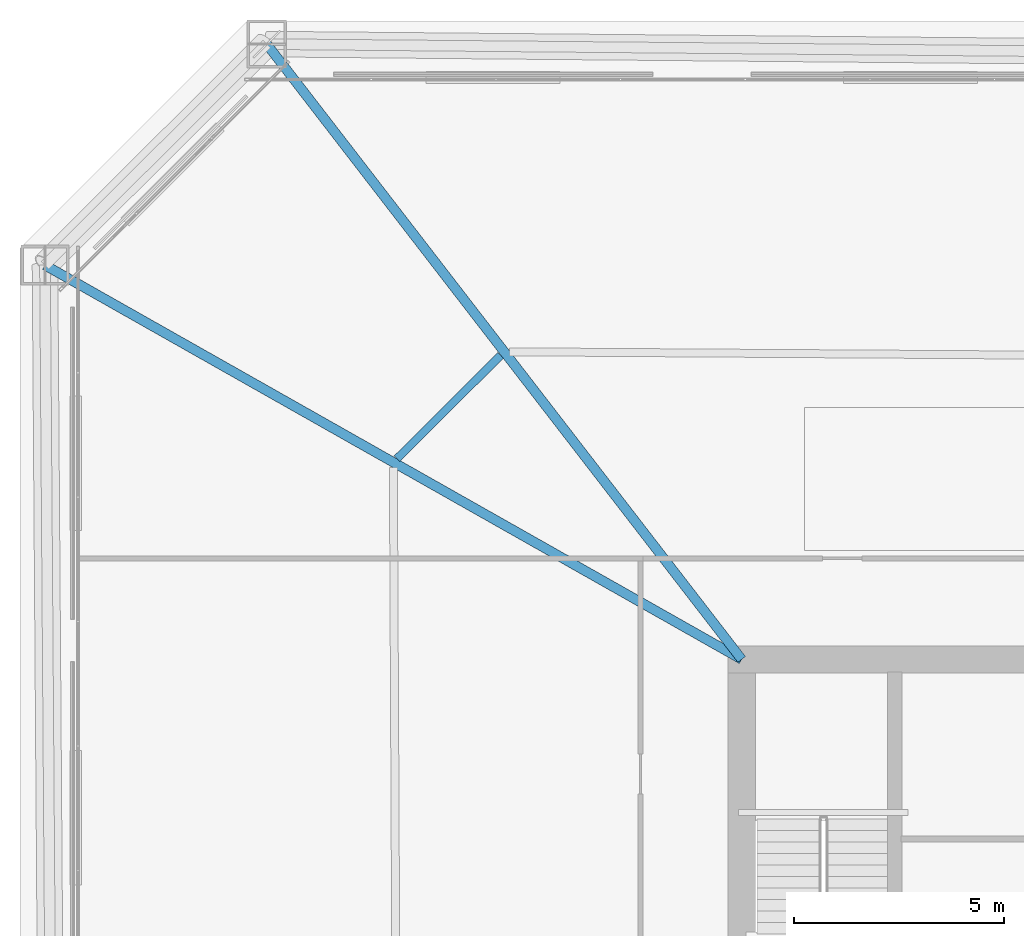
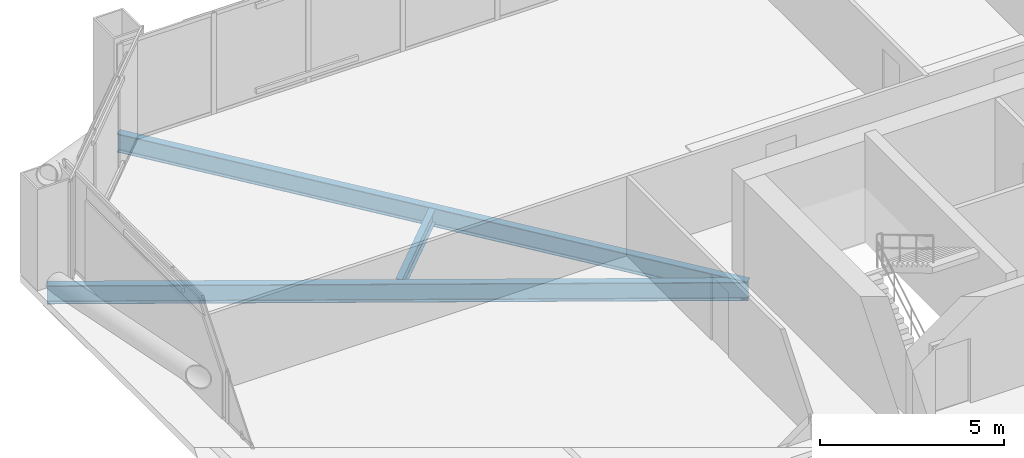
# One storey, part 31 of 50: 3 beams.
"""IFC4 building model written with IfcOpenShell, lengths in metres."""

from ifc_helpers import new_model, si_unit, direction, frame, origin, origin_2d, place, context, subcontext, project, spatial, i_section, extrude, material, material_profile, profile_set, type_object, element, save


model = new_model("IFC4")

# Units and contexts
model_context = context("Model", 3, precision=1e-05, world=origin(), true_north=direction((0.0, 1.0)))
body_context = subcontext(model_context, "Body", "Model", "MODEL_VIEW")
ifc_project = project(units=[si_unit("LENGTHUNIT", "METRE"), si_unit("AREAUNIT", "SQUARE_METRE"), si_unit("VOLUMEUNIT", "CUBIC_METRE"), si_unit("PLANEANGLEUNIT", "RADIAN"), si_unit("MASSUNIT", "GRAM", prefix="KILO")], contexts=[model_context])

# Site, building, storey
site_placement = place(None, origin())
site = spatial("IfcSite", under=ifc_project, at=site_placement, CompositionType="ELEMENT")
building_placement = place(site_placement, origin())
building = spatial("IfcBuilding", under=site, at=building_placement, Name="Caelvoria Tower", CompositionType="ELEMENT")
storey_placement = place(building_placement, frame((0.0, 0.0, 71.199951171875)))
storey = spatial("IfcBuildingStorey", under=building, at=storey_placement, Name="L18", CompositionType="ELEMENT", Elevation=71.199951171875)

# Beams
ifc_material = material(Name="Structural Steel ASTM A992 Gr.50", Category="steel")
ifc_material_profile_1 = material_profile(ifc_material, i_section(OverallWidth=0.22900390625, OverallDepth=0.612060546875, WebThickness=0.011962890625, FlangeThickness=0.01953125, FilletRadius=0.01806640625, at=origin_2d()), Name="Structural Steel ASTM A992 Gr.50")
ifc_profile_set_1 = profile_set([ifc_material_profile_1], Name="W610X125 - Structural Steel ASTM A992 Gr.50")
beam_type_1 = type_object("IfcBeamType", Name="Primary Radial Floor Girder W610X125", PredefinedType="BEAM", material=ifc_profile_set_1)
beam_1_placement = place(storey_placement, frame((37.0, 40.0, -0.5458984375), z_axis=(-0.611048700367, 0.791593005136, 0.0), x_axis=(-0.791593005136, -0.611048700367, 0.0)))
element("IfcBeam", 1, at=beam_1_placement, inside=storey, type_object=beam_type_1, Name="Primary Floor Girder L18-08", PredefinedType="BEAM", context=body_context, shape_type="SweptSolid", body=[
    extrude(i_section(OverallWidth=0.22900390625, OverallDepth=0.612060546875, WebThickness=0.011962890625, FlangeThickness=0.01953125, FilletRadius=0.01806640625, at=origin_2d()), origin(), (0.0, 0.0, 1.0), 18.5244140625),
])
beam_2_placement = place(storey_placement, frame((37.0, 40.0, -0.5458984375), z_axis=(-0.870330127245, 0.492468749881, 0.0), x_axis=(-0.492468749881, -0.870330127245, 0.0)))
element("IfcBeam", 2, at=beam_2_placement, inside=storey, type_object=beam_type_1, Name="Primary Floor Girder L18-09", PredefinedType="BEAM", context=body_context, shape_type="SweptSolid", body=[
    extrude(i_section(OverallWidth=0.22900390625, OverallDepth=0.612060546875, WebThickness=0.011962890625, FlangeThickness=0.01953125, FilletRadius=0.01806640625, at=origin_2d()), origin(), (0.0, 0.0, 1.0), 19.078369140625),
])
ifc_material_profile_2 = material_profile(ifc_material, i_section(OverallWidth=0.18994140625, OverallDepth=0.45703125, WebThickness=0.009033203125, FlangeThickness=0.014404296875, FilletRadius=0.014892578125, at=origin_2d()), Name="Structural Steel ASTM A992 Gr.50")
ifc_profile_set_2 = profile_set([ifc_material_profile_2], Name="W460X74 - Structural Steel ASTM A992 Gr.50")
beam_type_2 = type_object("IfcBeamType", Name="Secondary Floor Beam W460X74", PredefinedType="BEAM", material=ifc_profile_set_2)
beam_3_placement = place(storey_placement, frame((31.251708984375, 47.24365234375, -0.468505859375), z_axis=(-0.708192991705, -0.706018899534, 0.0), x_axis=(0.706018899534, -0.708192991705, 0.0)))
element("IfcBeam", 3, at=beam_3_placement, inside=storey, type_object=beam_type_2, Name="Secondary Floor Beam L18-08", PredefinedType="BEAM", context=body_context, shape_type="SweptSolid", body=[
    extrude(i_section(OverallWidth=0.18994140625, OverallDepth=0.45703125, WebThickness=0.009033203125, FlangeThickness=0.014404296875, FilletRadius=0.014892578125, at=origin_2d()), origin(), (0.0, 0.0, 1.0), 3.481201171875),
])

save(model, "model.ifc")
